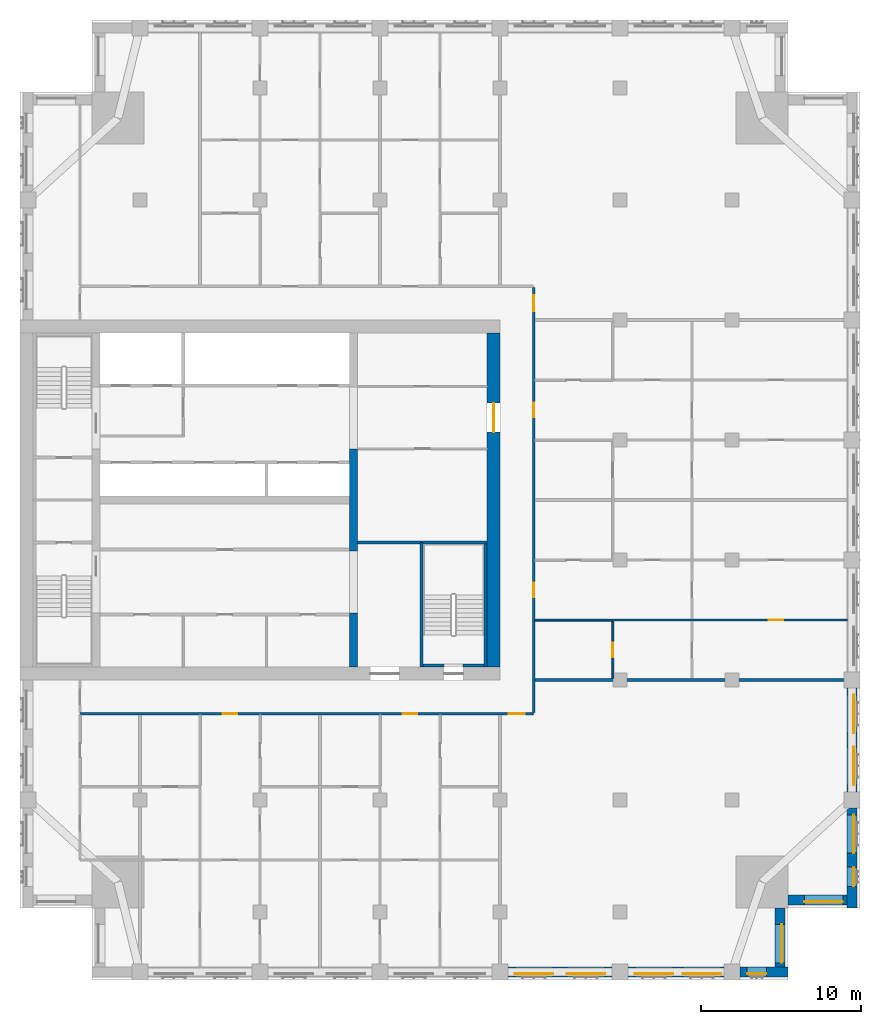
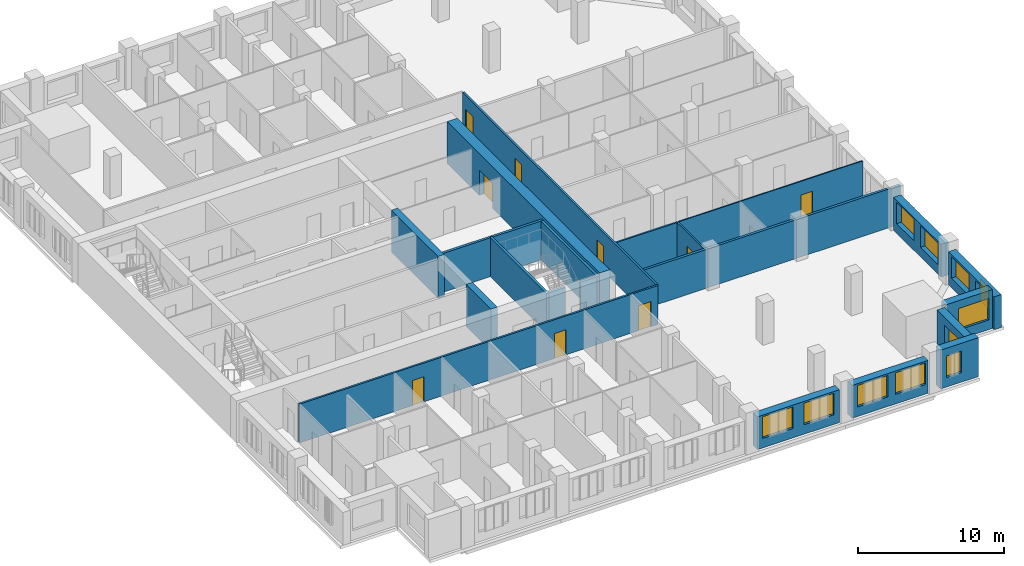
# One storey, part 8 of 14: 21 walls, 11 windows, 9 doors, 20 openings.
"""IFC4 building model written with IfcOpenShell, lengths in metres."""

import ifcopenshell
import ifcopenshell.guid

model = None  # the IFC model being written
_history = None  # IfcOwnerHistory: only IFC2X3 demands one
_inside = {}  # id of a spatial element -> (the spatial element, [elements in it])
_under = {}  # id of a project, library or spatial element -> (it, [spatial elements below it])
_declared = {}  # id of a project -> (the project, [libraries it declares])
_typed = {}  # id of a type object -> (the type object, [elements of that type])
_made_of = {}  # id of a material, layer set ... -> (it, [elements and type objects made of it])


def new_model(schema):
    """Start an empty IFC model of exactly this schema.

    Asked for "IFC4X3", IfcOpenShell would pick the latest addendum, in which some entities
    have other attributes; the version numbers below select the first issue.
    IFC2X3 requires an IfcOwnerHistory on every rooted entity: one is made here for all.
    """
    global model, _history
    if schema == "IFC4X3":
        model = ifcopenshell.file(schema_version=(4, 3, 0, 0))
    else:
        model = ifcopenshell.file(schema=schema)
    _inside.clear()
    _under.clear()
    _declared.clear()
    _typed.clear()
    _made_of.clear()
    _history = None
    if model.schema == "IFC2X3":
        org = make("IfcOrganization", Name="unknown")
        user = make(
            "IfcPersonAndOrganization",
            ThePerson=make("IfcPerson", FamilyName="unknown"),
            TheOrganization=org,
        )
        app = make(
            "IfcApplication",
            ApplicationDeveloper=org,
            Version="unknown",
            ApplicationFullName="unknown",
            ApplicationIdentifier="unknown",
        )
        _history = make(
            "IfcOwnerHistory",
            OwningUser=user,
            OwningApplication=app,
            ChangeAction="ADDED",
            CreationDate=0,
        )
    return model


def make(cls, **values):
    """One entity of the class cls with the attributes given. An attribute that is None is left unset."""
    return model.create_entity(
        cls, **{name: value for name, value in values.items() if value is not None}
    )


def rooted(cls, **values):
    """An entity with a GlobalId (a new one), such as an element, a storey or a relation."""
    return make(cls, GlobalId=ifcopenshell.guid.new(), OwnerHistory=_history, **values)


def si_unit(unit_type, name, prefix=None):
    """IfcSIUnit, for example si_unit("LENGTHUNIT", "METRE", prefix="MILLI")."""
    return make("IfcSIUnit", UnitType=unit_type, Prefix=prefix, Name=name)


def assignment(units):
    """IfcUnitAssignment: the units of a project."""
    return None if units is None else make("IfcUnitAssignment", Units=units)


def point(xyz):
    """IfcCartesianPoint."""
    return None if xyz is None else make("IfcCartesianPoint", Coordinates=xyz)


def direction(xyz):
    """IfcDirection."""
    return None if xyz is None else make("IfcDirection", DirectionRatios=xyz)


def frame(location, z_axis=None, x_axis=None):
    """IfcAxis2Placement3D, a coordinate frame: its origin and axes. An axis left out is left unset."""
    return make(
        "IfcAxis2Placement3D",
        Location=point(location),
        Axis=direction(z_axis),
        RefDirection=direction(x_axis),
    )


def frame_2d(location, x_axis=None):
    """IfcAxis2Placement2D, a coordinate frame in the plane: its origin and x axis."""
    return make(
        "IfcAxis2Placement2D", Location=point(location), RefDirection=direction(x_axis)
    )


def origin():
    """The frame at (0, 0, 0) with its axes left unset."""
    return frame((0.0, 0.0, 0.0))


def place(relative_to, where):
    """IfcLocalPlacement: puts the frame where relative to a parent placement (None: the world)."""
    return make(
        "IfcLocalPlacement", PlacementRelTo=relative_to, RelativePlacement=where
    )


def context(
    kind, dimensions, precision=None, world=None, true_north=None, identifier=None
):
    """IfcGeometricRepresentationContext, for example the 3D "Model" context."""
    return make(
        "IfcGeometricRepresentationContext",
        ContextIdentifier=identifier,
        ContextType=kind,
        CoordinateSpaceDimension=dimensions,
        Precision=precision,
        WorldCoordinateSystem=world,
        TrueNorth=true_north,
    )


def subcontext(parent, identifier, kind, view, scale=None):
    """IfcGeometricRepresentationSubContext, for example "Body" below "Model"."""
    return make(
        "IfcGeometricRepresentationSubContext",
        ContextIdentifier=identifier,
        ContextType=kind,
        ParentContext=parent,
        TargetScale=scale,
        TargetView=view,
    )


def project(units=None, contexts=None):
    """IfcProject with its units and contexts."""
    return rooted(
        "IfcProject",
        Name="project",
        RepresentationContexts=contexts,
        UnitsInContext=assignment(units),
    )


def spatial(cls, under=None, at=None, **own):
    """A site, building, storey or space (cls), placed at a placement, below another one or the project."""
    s = rooted(cls, ObjectPlacement=at, **own)
    if under is not None:
        _under.setdefault(under.id(), (under, []))[1].append(s)
    return s


def profile(cls, at=None, kind="AREA", **sizes):
    """A parametric profile (cls). Its sizes go by their IFC names, for example OverallWidth=200.0."""
    return make(cls, ProfileType=kind, Position=at, **sizes)


def rectangle(**sizes):
    """IfcRectangleProfileDef."""
    return profile("IfcRectangleProfileDef", **sizes)


def extrude(swept, where, along, depth):
    """IfcExtrudedAreaSolid: the profile swept, set in the frame where, extruded along a direction by depth."""
    return make(
        "IfcExtrudedAreaSolid",
        SweptArea=swept,
        Position=where,
        ExtrudedDirection=direction(along),
        Depth=depth,
    )


def shape(context_of_items, identifier, shape_type, items):
    """IfcShapeRepresentation: the items that make up one representation, for example the "Body"."""
    return make(
        "IfcShapeRepresentation",
        ContextOfItems=context_of_items,
        RepresentationIdentifier=identifier,
        RepresentationType=shape_type,
        Items=items,
    )


def material(Name=None, Category=None):
    """IfcMaterial."""
    return make("IfcMaterial", Name=Name, Category=Category)


def layer(
    of_material, thickness, ventilated=None, Name=None, Category=None, Priority=None
):
    """IfcMaterialLayer: one layer of a wall or slab, of a material (None: an air gap)."""
    return make(
        "IfcMaterialLayer",
        Material=of_material,
        LayerThickness=thickness,
        IsVentilated=ventilated,
        Name=Name,
        Category=Category,
        Priority=Priority,
    )


def layer_set(layers, Name=None):
    """IfcMaterialLayerSet."""
    return make("IfcMaterialLayerSet", MaterialLayers=layers, LayerSetName=Name)


def made_of(thing, what):
    """Note that an element or type object is made of a material, layer set ...; save() writes the relation."""
    if what is not None:
        _made_of.setdefault(what.id(), (what, []))[1].append(thing)
    return thing


def type_object(cls, material=None, **own):
    """A type object (cls), such as IfcWallType, which elements share."""
    return made_of(rooted(cls, **own), material)


def element(
    cls,
    number,
    at=None,
    inside=None,
    cuts=None,
    type_object=None,
    material=None,
    context=None,
    identifier="Body",
    shape_type=None,
    held_by="IfcProductDefinitionShape",
    body=None,
    shapes=None,
    **own,
):
    """One element of the class cls, such as IfcWall. Its Tag is "e" and its number.

    at: its placement. inside: the storey or other place that contains it. cuts: it is an
    opening in that element (IfcRelVoidsElement). A single representation is given by context,
    identifier, shape_type and body (its items); several are given by shapes. held_by: the class
    of the entity that holds the representations. save() writes the other relations.
    """
    e = rooted(cls, Tag="e%d" % number, ObjectPlacement=at, **own)
    if body is not None:
        shapes = [shape(context, identifier, shape_type, body)]
    if shapes is not None:
        e.Representation = make(held_by, Representations=shapes)
    if inside is not None:
        _inside.setdefault(inside.id(), (inside, []))[1].append(e)
    if cuts is not None:
        rooted(
            "IfcRelVoidsElement", RelatingBuildingElement=cuts, RelatedOpeningElement=e
        )
    if type_object is not None:
        _typed.setdefault(type_object.id(), (type_object, []))[1].append(e)
    return made_of(e, material)


def fill(opening, filler):
    """IfcRelFillsElement: the door or window that sits in an opening."""
    return rooted(
        "IfcRelFillsElement",
        RelatingOpeningElement=opening,
        RelatedBuildingElement=filler,
    )


def aggregate(whole, parts):
    """IfcRelAggregates: a whole, such as a stair, and the parts it consists of."""
    return rooted("IfcRelAggregates", RelatingObject=whole, RelatedObjects=parts)


def save(model, path):
    """Write the relations noted so far, then the file.

    IfcRelAggregates (storeys below a building ...), IfcRelContainedInSpatialStructure (elements
    in a storey), IfcRelDefinesByType, IfcRelAssociatesMaterial and IfcRelDeclares: one each for
    every whole, place, type object, material and project.
    """
    for whole, parts in _under.values():
        aggregate(whole, parts)
    for where, things in _inside.values():
        rooted(
            "IfcRelContainedInSpatialStructure",
            RelatedElements=things,
            RelatingStructure=where,
        )
    for kind, things in _typed.values():
        rooted("IfcRelDefinesByType", RelatedObjects=things, RelatingType=kind)
    for what, things in _made_of.values():
        rooted("IfcRelAssociatesMaterial", RelatedObjects=things, RelatingMaterial=what)
    for by, libraries in _declared.values():
        rooted("IfcRelDeclares", RelatingContext=by, RelatedDefinitions=libraries)
    model.write(path)


model = new_model("IFC4")

# Units and contexts
model_context = context("Model", 3, precision=1e-05, world=origin(), true_north=direction((0.0, 1.0)))
body_context = subcontext(model_context, "Body", "Model", "MODEL_VIEW")
ifc_project = project(units=[si_unit("LENGTHUNIT", "METRE"), si_unit("AREAUNIT", "SQUARE_METRE"), si_unit("VOLUMEUNIT", "CUBIC_METRE"), si_unit("PLANEANGLEUNIT", "RADIAN"), si_unit("MASSUNIT", "GRAM", prefix="KILO")], contexts=[model_context])

# Site, building, storey
site_placement = place(None, origin())
site = spatial("IfcSite", under=ifc_project, at=site_placement, CompositionType="ELEMENT")
building_placement = place(site_placement, origin())
building = spatial("IfcBuilding", under=site, at=building_placement, Name="Tamorin Gate", CompositionType="ELEMENT")
storey_placement = place(building_placement, frame((0.0, 0.0, 207.199951171875)))
storey = spatial("IfcBuildingStorey", under=building, at=storey_placement, Name="L51", CompositionType="ELEMENT", Elevation=207.199951171875)

# Wall, openings, windows
ifc_material_1 = material(Name="Precast concrete C40/50", Category="concrete")
ifc_layer_1 = layer(ifc_material_1, 0.60009765625)
ifc_layer_set_1 = layer_set([ifc_layer_1], Name="Precast concrete C40/50")
wall_type_1 = type_object("IfcWallType", Name="Board-marked concrete facade panel 600", PredefinedType="SOLIDWALL", material=ifc_layer_set_1)
wall_1_placement = place(storey_placement, frame((60.5, 41.75, 0.0), z_axis=(0.0, 0.0, 1.0), x_axis=(1.0, 0.0, 0.0)))
wall_1 = element("IfcWall", 1, at=wall_1_placement, inside=storey, type_object=wall_type_1, Name="Facade panel", PredefinedType="SOLIDWALL", context=body_context, shape_type="SweptSolid", body=[
    extrude(rectangle(XDim=6.5, YDim=0.60009765625, at=frame_2d((3.25, 0.0))), origin(), (0.0, 0.0, 1.0), 2.75),
])
opening_1_placement = place(wall_1_placement, frame((0.425048828125, 0.0, 0.800048828125)))
opening_1 = element("IfcOpeningElement", 2, at=opening_1_placement, cuts=wall_1, Name="Opening WN1", PredefinedType="OPENING", context=body_context, shape_type="SweptSolid", body=[
    extrude(rectangle(XDim=2.39990234375, YDim=1.800048828125, at=frame_2d((1.199951171875, 0.89990234375))), frame((0.0, 0.31005859375, 0.0), z_axis=(0.0, -1.0, 0.0), x_axis=(1.0, 0.0, 0.0)), (0.0, 0.0, 1.0), 0.6201171875),
])
opening_2_placement = place(wall_1_placement, frame((3.675048828125, 0.0, 0.800048828125)))
opening_2 = element("IfcOpeningElement", 3, at=opening_2_placement, cuts=wall_1, Name="Opening WN1", PredefinedType="OPENING", context=body_context, shape_type="SweptSolid", body=[
    extrude(rectangle(XDim=2.39990234375, YDim=1.800048828125, at=frame_2d((1.199951171875, 0.89990234375))), frame((0.0, 0.31005859375, 0.0), z_axis=(0.0, -1.0, 0.0), x_axis=(1.0, 0.0, 0.0)), (0.0, 0.0, 1.0), 0.6201171875),
])
ifc_material_2 = material(Name="Clear glass in aluminium frame", Category="aluminium")
window_type_1 = type_object("IfcWindowType", Name="Deep-set window 2400x1800", PartitioningType="SINGLE_PANEL", PredefinedType="WINDOW", material=ifc_material_2)
window_1_placement = place(opening_1_placement, origin())
window_1 = element("IfcWindow", 4, at=window_1_placement, inside=storey, type_object=window_type_1, Name="Deep-set window", OverallHeight=1.800048828125, OverallWidth=2.39990234375, PartitioningType="SINGLE_PANEL", PredefinedType="WINDOW", context=body_context, shape_type="SweptSolid", body=[
    extrude(rectangle(XDim=2.39990234375, YDim=1.800048828125, at=frame_2d((1.199951171875, 0.89990234375))), frame((0.0, -0.070068359375, 0.0), z_axis=(0.0, -1.0, 0.0), x_axis=(1.0, 0.0, 0.0)), (0.0, 0.0, 1.0), 0.06005859375),
])
fill(opening_1, window_1)
window_2_placement = place(opening_2_placement, origin())
window_2 = element("IfcWindow", 5, at=window_2_placement, inside=storey, type_object=window_type_1, Name="Deep-set window", OverallHeight=1.800048828125, OverallWidth=2.39990234375, PartitioningType="SINGLE_PANEL", PredefinedType="WINDOW", context=body_context, shape_type="SweptSolid", body=[
    extrude(rectangle(XDim=2.39990234375, YDim=1.800048828125, at=frame_2d((1.199951171875, 0.89990234375))), frame((0.0, -0.070068359375, 0.0), z_axis=(0.0, -1.0, 0.0), x_axis=(1.0, 0.0, 0.0)), (0.0, 0.0, 1.0), 0.06005859375),
])
fill(opening_2, window_2)

wall_2_placement = place(storey_placement, frame((68.0, 41.75, 0.0), z_axis=(0.0, 0.0, 1.0), x_axis=(1.0, 0.0, 0.0)))
wall_2 = element("IfcWall", 6, at=wall_2_placement, inside=storey, type_object=wall_type_1, Name="Facade panel", PredefinedType="SOLIDWALL", context=body_context, shape_type="SweptSolid", body=[
    extrude(rectangle(XDim=6.0, YDim=0.60009765625, at=frame_2d((3.0, 0.0))), origin(), (0.0, 0.0, 1.0), 2.75),
])
opening_3_placement = place(wall_2_placement, frame((0.425048828125, 0.0, 0.800048828125)))
opening_3 = element("IfcOpeningElement", 7, at=opening_3_placement, cuts=wall_2, Name="Opening WN1", PredefinedType="OPENING", context=body_context, shape_type="SweptSolid", body=[
    extrude(rectangle(XDim=2.39990234375, YDim=1.800048828125, at=frame_2d((1.199951171875, 0.89990234375))), frame((0.0, 0.31005859375, 0.0), z_axis=(0.0, -1.0, 0.0), x_axis=(1.0, 0.0, 0.0)), (0.0, 0.0, 1.0), 0.6201171875),
])
opening_4_placement = place(wall_2_placement, frame((3.425048828125, 0.0, 0.800048828125)))
opening_4 = element("IfcOpeningElement", 8, at=opening_4_placement, cuts=wall_2, Name="Opening WN1", PredefinedType="OPENING", context=body_context, shape_type="SweptSolid", body=[
    extrude(rectangle(XDim=2.39990234375, YDim=1.800048828125, at=frame_2d((1.199951171875, 0.89990234375))), frame((0.0, 0.31005859375, 0.0), z_axis=(0.0, -1.0, 0.0), x_axis=(1.0, 0.0, 0.0)), (0.0, 0.0, 1.0), 0.6201171875),
])
window_3_placement = place(opening_3_placement, origin())
window_3 = element("IfcWindow", 9, at=window_3_placement, inside=storey, type_object=window_type_1, Name="Deep-set window", OverallHeight=1.800048828125, OverallWidth=2.39990234375, PartitioningType="SINGLE_PANEL", PredefinedType="WINDOW", context=body_context, shape_type="SweptSolid", body=[
    extrude(rectangle(XDim=2.39990234375, YDim=1.800048828125, at=frame_2d((1.199951171875, 0.89990234375))), frame((0.0, -0.070068359375, 0.0), z_axis=(0.0, -1.0, 0.0), x_axis=(1.0, 0.0, 0.0)), (0.0, 0.0, 1.0), 0.06005859375),
])
fill(opening_3, window_3)
window_4_placement = place(opening_4_placement, origin())
window_4 = element("IfcWindow", 10, at=window_4_placement, inside=storey, type_object=window_type_1, Name="Deep-set window", OverallHeight=1.800048828125, OverallWidth=2.39990234375, PartitioningType="SINGLE_PANEL", PredefinedType="WINDOW", context=body_context, shape_type="SweptSolid", body=[
    extrude(rectangle(XDim=2.39990234375, YDim=1.800048828125, at=frame_2d((1.199951171875, 0.89990234375))), frame((0.0, -0.070068359375, 0.0), z_axis=(0.0, -1.0, 0.0), x_axis=(1.0, 0.0, 0.0)), (0.0, 0.0, 1.0), 0.06005859375),
])
fill(opening_4, window_4)

# Wall, opening, window
wall_3_placement = place(storey_placement, frame((75.0, 41.75, 0.0), z_axis=(0.0, 0.0, 1.0), x_axis=(1.0, 0.0, 0.0)))
wall_3 = element("IfcWall", 11, at=wall_3_placement, inside=storey, type_object=wall_type_1, Name="Facade panel", PredefinedType="SOLIDWALL", context=body_context, shape_type="SweptSolid", body=[
    extrude(rectangle(XDim=3.0, YDim=0.60009765625, at=frame_2d((1.5, 0.0))), origin(), (0.0, 0.0, 1.0), 3.25),
])
opening_5_placement = place(wall_3_placement, frame((0.449951171875, 0.0, 0.800048828125)))
opening_5 = element("IfcOpeningElement", 12, at=opening_5_placement, cuts=wall_3, Name="Opening WN3", PredefinedType="OPENING", context=body_context, shape_type="SweptSolid", body=[
    extrude(rectangle(XDim=1.199951171875, YDim=1.800048828125, at=frame_2d((0.60009765625, 0.89990234375))), frame((0.0, 0.31005859375, 0.0), z_axis=(0.0, -1.0, 0.0), x_axis=(1.0, 0.0, 0.0)), (0.0, 0.0, 1.0), 0.6201171875),
])
window_type_2 = type_object("IfcWindowType", Name="Deep-set window 1200x1800", PartitioningType="SINGLE_PANEL", PredefinedType="WINDOW", material=ifc_material_2)
window_5_placement = place(opening_5_placement, origin())
window_5 = element("IfcWindow", 13, at=window_5_placement, inside=storey, type_object=window_type_2, Name="Deep-set window", OverallHeight=1.800048828125, OverallWidth=1.199951171875, PartitioningType="SINGLE_PANEL", PredefinedType="WINDOW", context=body_context, shape_type="SweptSolid", body=[
    extrude(rectangle(XDim=1.199951171875, YDim=1.800048828125, at=frame_2d((0.60009765625, 0.89990234375))), frame((0.0, -0.070068359375, 0.0), z_axis=(0.0, -1.0, 0.0), x_axis=(1.0, 0.0, 0.0)), (0.0, 0.0, 1.0), 0.06005859375),
])
fill(opening_5, window_5)

wall_4_placement = place(storey_placement, frame((77.5, 42.050048828125, 0.0), z_axis=(0.0, 0.0, 1.0), x_axis=(0.0, 1.0, 0.0)))
wall_4 = element("IfcWall", 14, at=wall_4_placement, inside=storey, type_object=wall_type_1, Name="Facade panel", PredefinedType="SOLIDWALL", context=body_context, shape_type="SweptSolid", body=[
    extrude(rectangle(XDim=3.699951171875, YDim=0.60009765625, at=frame_2d((1.85009765625, 0.0))), origin(), (0.0, 0.0, 1.0), 3.25),
])
opening_6_placement = place(wall_4_placement, frame((0.27490234375, 0.0, 0.800048828125)))
opening_6 = element("IfcOpeningElement", 15, at=opening_6_placement, cuts=wall_4, Name="Opening WN1", PredefinedType="OPENING", context=body_context, shape_type="SweptSolid", body=[
    extrude(rectangle(XDim=2.39990234375, YDim=1.800048828125, at=frame_2d((1.199951171875, 0.89990234375))), frame((0.0, 0.31005859375, 0.0), z_axis=(0.0, -1.0, 0.0), x_axis=(1.0, 0.0, 0.0)), (0.0, 0.0, 1.0), 0.6201171875),
])
window_6_placement = place(opening_6_placement, origin())
window_6 = element("IfcWindow", 16, at=window_6_placement, inside=storey, type_object=window_type_1, Name="Deep-set window", OverallHeight=1.800048828125, OverallWidth=2.39990234375, PartitioningType="SINGLE_PANEL", PredefinedType="WINDOW", context=body_context, shape_type="SweptSolid", body=[
    extrude(rectangle(XDim=2.39990234375, YDim=1.800048828125, at=frame_2d((1.199951171875, 0.89990234375))), frame((0.0, -0.070068359375, 0.0), z_axis=(0.0, -1.0, 0.0), x_axis=(1.0, 0.0, 0.0)), (0.0, 0.0, 1.0), 0.06005859375),
])
fill(opening_6, window_6)

wall_5_placement = place(storey_placement, frame((78.0, 46.25, 0.0), z_axis=(0.0, 0.0, 1.0), x_axis=(1.0, 0.0, 0.0)))
wall_5 = element("IfcWall", 17, at=wall_5_placement, inside=storey, type_object=wall_type_1, Name="Facade panel", PredefinedType="SOLIDWALL", context=body_context, shape_type="SweptSolid", body=[
    extrude(rectangle(XDim=3.699951171875, YDim=0.60009765625, at=frame_2d((1.85009765625, 0.0))), origin(), (0.0, 0.0, 1.0), 3.25),
])
opening_7_placement = place(wall_5_placement, frame((1.02490234375, 0.0, 0.800048828125)))
opening_7 = element("IfcOpeningElement", 18, at=opening_7_placement, cuts=wall_5, Name="Opening WN1", PredefinedType="OPENING", context=body_context, shape_type="SweptSolid", body=[
    extrude(rectangle(XDim=2.39990234375, YDim=1.800048828125, at=frame_2d((1.199951171875, 0.89990234375))), frame((0.0, 0.31005859375, 0.0), z_axis=(0.0, -1.0, 0.0), x_axis=(1.0, 0.0, 0.0)), (0.0, 0.0, 1.0), 0.6201171875),
])
window_7_placement = place(opening_7_placement, origin())
window_7 = element("IfcWindow", 19, at=window_7_placement, inside=storey, type_object=window_type_1, Name="Deep-set window", OverallHeight=1.800048828125, OverallWidth=2.39990234375, PartitioningType="SINGLE_PANEL", PredefinedType="WINDOW", context=body_context, shape_type="SweptSolid", body=[
    extrude(rectangle(XDim=2.39990234375, YDim=1.800048828125, at=frame_2d((1.199951171875, 0.89990234375))), frame((0.0, -0.070068359375, 0.0), z_axis=(0.0, -1.0, 0.0), x_axis=(1.0, 0.0, 0.0)), (0.0, 0.0, 1.0), 0.06005859375),
])
fill(opening_7, window_7)

# Wall, openings, windows
wall_6_placement = place(storey_placement, frame((82.0, 45.75, 0.0), z_axis=(0.0, 0.0, 1.0), x_axis=(0.0, 1.0, 0.0)))
wall_6 = element("IfcWall", 20, at=wall_6_placement, inside=storey, type_object=wall_type_1, Name="Facade panel", PredefinedType="SOLIDWALL", context=body_context, shape_type="SweptSolid", body=[
    extrude(rectangle(XDim=6.25, YDim=0.60009765625, at=frame_2d((3.125, 0.0))), origin(), (0.0, 0.0, 1.0), 2.75),
])
opening_8_placement = place(wall_6_placement, frame((1.35009765625, 0.0, 0.800048828125)))
opening_8 = element("IfcOpeningElement", 21, at=opening_8_placement, cuts=wall_6, Name="Opening WN3", PredefinedType="OPENING", context=body_context, shape_type="SweptSolid", body=[
    extrude(rectangle(XDim=1.199951171875, YDim=1.800048828125, at=frame_2d((0.60009765625, 0.89990234375))), frame((0.0, 0.31005859375, 0.0), z_axis=(0.0, -1.0, 0.0), x_axis=(1.0, 0.0, 0.0)), (0.0, 0.0, 1.0), 0.6201171875),
])
opening_9_placement = place(wall_6_placement, frame((3.425048828125, 0.0, 0.800048828125)))
opening_9 = element("IfcOpeningElement", 22, at=opening_9_placement, cuts=wall_6, Name="Opening WN1", PredefinedType="OPENING", context=body_context, shape_type="SweptSolid", body=[
    extrude(rectangle(XDim=2.39990234375, YDim=1.800048828125, at=frame_2d((1.199951171875, 0.89990234375))), frame((0.0, 0.31005859375, 0.0), z_axis=(0.0, -1.0, 0.0), x_axis=(1.0, 0.0, 0.0)), (0.0, 0.0, 1.0), 0.6201171875),
])
window_8_placement = place(opening_8_placement, origin())
window_8 = element("IfcWindow", 23, at=window_8_placement, inside=storey, type_object=window_type_2, Name="Deep-set window", OverallHeight=1.800048828125, OverallWidth=1.199951171875, PartitioningType="SINGLE_PANEL", PredefinedType="WINDOW", context=body_context, shape_type="SweptSolid", body=[
    extrude(rectangle(XDim=1.199951171875, YDim=1.800048828125, at=frame_2d((0.60009765625, 0.89990234375))), frame((0.0, -0.070068359375, 0.0), z_axis=(0.0, -1.0, 0.0), x_axis=(1.0, 0.0, 0.0)), (0.0, 0.0, 1.0), 0.06005859375),
])
fill(opening_8, window_8)
window_9_placement = place(opening_9_placement, origin())
window_9 = element("IfcWindow", 24, at=window_9_placement, inside=storey, type_object=window_type_1, Name="Deep-set window", OverallHeight=1.800048828125, OverallWidth=2.39990234375, PartitioningType="SINGLE_PANEL", PredefinedType="WINDOW", context=body_context, shape_type="SweptSolid", body=[
    extrude(rectangle(XDim=2.39990234375, YDim=1.800048828125, at=frame_2d((1.199951171875, 0.89990234375))), frame((0.0, -0.070068359375, 0.0), z_axis=(0.0, -1.0, 0.0), x_axis=(1.0, 0.0, 0.0)), (0.0, 0.0, 1.0), 0.06005859375),
])
fill(opening_9, window_9)

wall_7_placement = place(storey_placement, frame((82.0, 53.0, 0.0), z_axis=(0.0, 0.0, 1.0), x_axis=(0.0, 1.0, 0.0)))
wall_7 = element("IfcWall", 25, at=wall_7_placement, inside=storey, type_object=wall_type_1, Name="Facade panel", PredefinedType="SOLIDWALL", context=body_context, shape_type="SweptSolid", body=[
    extrude(rectangle(XDim=6.5, YDim=0.60009765625, at=frame_2d((3.25, 0.0))), origin(), (0.0, 0.0, 1.0), 2.75),
])
opening_10_placement = place(wall_7_placement, frame((0.425048828125, 0.0, 0.800048828125)))
opening_10 = element("IfcOpeningElement", 26, at=opening_10_placement, cuts=wall_7, Name="Opening WN1", PredefinedType="OPENING", context=body_context, shape_type="SweptSolid", body=[
    extrude(rectangle(XDim=2.39990234375, YDim=1.800048828125, at=frame_2d((1.199951171875, 0.89990234375))), frame((0.0, 0.31005859375, 0.0), z_axis=(0.0, -1.0, 0.0), x_axis=(1.0, 0.0, 0.0)), (0.0, 0.0, 1.0), 0.6201171875),
])
opening_11_placement = place(wall_7_placement, frame((3.675048828125, 0.0, 0.800048828125)))
opening_11 = element("IfcOpeningElement", 27, at=opening_11_placement, cuts=wall_7, Name="Opening WN1", PredefinedType="OPENING", context=body_context, shape_type="SweptSolid", body=[
    extrude(rectangle(XDim=2.39990234375, YDim=1.800048828125, at=frame_2d((1.199951171875, 0.89990234375))), frame((0.0, 0.31005859375, 0.0), z_axis=(0.0, -1.0, 0.0), x_axis=(1.0, 0.0, 0.0)), (0.0, 0.0, 1.0), 0.6201171875),
])
window_10_placement = place(opening_10_placement, origin())
window_10 = element("IfcWindow", 28, at=window_10_placement, inside=storey, type_object=window_type_1, Name="Deep-set window", OverallHeight=1.800048828125, OverallWidth=2.39990234375, PartitioningType="SINGLE_PANEL", PredefinedType="WINDOW", context=body_context, shape_type="SweptSolid", body=[
    extrude(rectangle(XDim=2.39990234375, YDim=1.800048828125, at=frame_2d((1.199951171875, 0.89990234375))), frame((0.0, -0.070068359375, 0.0), z_axis=(0.0, -1.0, 0.0), x_axis=(1.0, 0.0, 0.0)), (0.0, 0.0, 1.0), 0.06005859375),
])
fill(opening_10, window_10)
window_11_placement = place(opening_11_placement, origin())
window_11 = element("IfcWindow", 29, at=window_11_placement, inside=storey, type_object=window_type_1, Name="Deep-set window", OverallHeight=1.800048828125, OverallWidth=2.39990234375, PartitioningType="SINGLE_PANEL", PredefinedType="WINDOW", context=body_context, shape_type="SweptSolid", body=[
    extrude(rectangle(XDim=2.39990234375, YDim=1.800048828125, at=frame_2d((1.199951171875, 0.89990234375))), frame((0.0, -0.070068359375, 0.0), z_axis=(0.0, -1.0, 0.0), x_axis=(1.0, 0.0, 0.0)), (0.0, 0.0, 1.0), 0.06005859375),
])
fill(opening_11, window_11)

# Wall, openings, doors
ifc_material_3 = material(Name="Gypsum board partition")
ifc_layer_2 = layer(ifc_material_3, 0.14990234375)
ifc_layer_set_2 = layer_set([ifc_layer_2], Name="Corridor wall 150")
wall_type_2 = type_object("IfcWallType", Name="Corridor wall 150", PredefinedType="PARTITIONING", material=ifc_layer_set_2)
wall_8_placement = place(storey_placement, frame((33.75, 57.89990234375, 0.0), z_axis=(0.0, 0.0, 1.0), x_axis=(1.0, 0.0, 0.0)))
wall_8 = element("IfcWall", 30, at=wall_8_placement, inside=storey, type_object=wall_type_2, Name="Corridor wall 150", PredefinedType="PARTITIONING", context=body_context, shape_type="SweptSolid", body=[
    extrude(rectangle(XDim=28.35009765625, YDim=0.14990234375, at=frame_2d((14.175048828125, 0.0))), origin(), (0.0, 0.0, 1.0), 3.25),
])
opening_12_placement = place(wall_8_placement, frame((8.925048828125, 0.0, 0.0)))
opening_12 = element("IfcOpeningElement", 31, at=opening_12_placement, cuts=wall_8, Name="Opening DR1006", PredefinedType="OPENING", context=body_context, shape_type="SweptSolid", body=[
    extrude(rectangle(XDim=0.89990234375, YDim=2.10009765625, at=frame_2d((0.449951171875, 1.050048828125))), frame((0.0, 0.0849609375, 0.0), z_axis=(0.0, -1.0, 0.0), x_axis=(1.0, 0.0, 0.0)), (0.0, 0.0, 1.0), 0.169921875),
])
opening_13_placement = place(wall_8_placement, frame((20.175048828125, 0.0, 0.0)))
opening_13 = element("IfcOpeningElement", 32, at=opening_13_placement, cuts=wall_8, Name="Opening DR1014", PredefinedType="OPENING", context=body_context, shape_type="SweptSolid", body=[
    extrude(rectangle(XDim=0.89990234375, YDim=2.10009765625, at=frame_2d((0.449951171875, 1.050048828125))), frame((0.0, 0.0849609375, 0.0), z_axis=(0.0, -1.0, 0.0), x_axis=(1.0, 0.0, 0.0)), (0.0, 0.0, 1.0), 0.169921875),
])
opening_14_placement = place(wall_8_placement, frame((26.800048828125, 0.0, 0.0)))
opening_14 = element("IfcOpeningElement", 33, at=opening_14_placement, cuts=wall_8, Name="Opening DR1020", PredefinedType="OPENING", context=body_context, shape_type="SweptSolid", body=[
    extrude(rectangle(XDim=1.0, YDim=2.10009765625, at=frame_2d((0.5, 1.050048828125))), frame((0.0, 0.0849609375, 0.0), z_axis=(0.0, -1.0, 0.0), x_axis=(1.0, 0.0, 0.0)), (0.0, 0.0, 1.0), 0.169921875),
])
ifc_material_4 = material(Name="Timber door leaf", Category="wood")
door_type_1 = type_object("IfcDoorType", Name="Door 1000 x 2100 FD30S", OperationType="NOTDEFINED", PredefinedType="DOOR", material=ifc_material_4)
door_1_placement = place(opening_14_placement, origin())
door_1 = element("IfcDoor", 34, at=door_1_placement, inside=storey, type_object=door_type_1, Name="Door DR1020", OperationType="SINGLE_SWING_RIGHT", OverallHeight=2.10009765625, OverallWidth=1.0, PredefinedType="DOOR", context=body_context, shape_type="SweptSolid", body=[
    extrude(rectangle(XDim=1.0, YDim=2.10009765625, at=frame_2d((0.5, 1.050048828125))), frame((0.0, 0.02490234375, 0.0), z_axis=(0.0, -1.0, 0.0), x_axis=(1.0, 0.0, 0.0)), (0.0, 0.0, 1.0), 0.050048828125),
])
fill(opening_14, door_1)
door_type_2 = type_object("IfcDoorType", Name="Door 900 x 2100 FD30S", OperationType="NOTDEFINED", PredefinedType="DOOR", material=ifc_material_4)
door_2_placement = place(opening_12_placement, origin())
door_2 = element("IfcDoor", 35, at=door_2_placement, inside=storey, type_object=door_type_2, Name="Door DR1006", OperationType="SINGLE_SWING_RIGHT", OverallHeight=2.10009765625, OverallWidth=0.89990234375, PredefinedType="DOOR", context=body_context, shape_type="SweptSolid", body=[
    extrude(rectangle(XDim=0.89990234375, YDim=2.10009765625, at=frame_2d((0.449951171875, 1.050048828125))), frame((0.0, 0.02490234375, 0.0), z_axis=(0.0, -1.0, 0.0), x_axis=(1.0, 0.0, 0.0)), (0.0, 0.0, 1.0), 0.050048828125),
])
fill(opening_12, door_2)
door_3_placement = place(opening_13_placement, origin())
door_3 = element("IfcDoor", 36, at=door_3_placement, inside=storey, type_object=door_type_2, Name="Door DR1014", OperationType="SINGLE_SWING_RIGHT", OverallHeight=2.10009765625, OverallWidth=0.89990234375, PredefinedType="DOOR", context=body_context, shape_type="SweptSolid", body=[
    extrude(rectangle(XDim=0.89990234375, YDim=2.10009765625, at=frame_2d((0.449951171875, 1.050048828125))), frame((0.0, 0.02490234375, 0.0), z_axis=(0.0, -1.0, 0.0), x_axis=(1.0, 0.0, 0.0)), (0.0, 0.0, 1.0), 0.050048828125),
])
fill(opening_13, door_3)

wall_9_placement = place(storey_placement, frame((62.10009765625, 57.97509765625, 0.0), z_axis=(0.0, 0.0, 1.0), x_axis=(0.0, 1.0, 0.0)))
wall_9 = element("IfcWall", 37, at=wall_9_placement, inside=storey, type_object=wall_type_2, Name="Corridor wall 150", PredefinedType="PARTITIONING", context=body_context, shape_type="SweptSolid", body=[
    extrude(rectangle(XDim=26.5498046875, YDim=0.14990234375, at=frame_2d((13.27490234375, 0.0))), origin(), (0.0, 0.0, 1.0), 3.25),
])
opening_15_placement = place(wall_9_placement, frame((25.074951171875, 0.0, 0.0)))
opening_15 = element("IfcOpeningElement", 38, at=opening_15_placement, cuts=wall_9, Name="Opening DR1036", PredefinedType="OPENING", context=body_context, shape_type="SweptSolid", body=[
    extrude(rectangle(XDim=1.0, YDim=2.10009765625, at=frame_2d((0.5, 1.050048828125))), frame((0.0, 0.0849609375, 0.0), z_axis=(0.0, -1.0, 0.0), x_axis=(1.0, 0.0, 0.0)), (0.0, 0.0, 1.0), 0.169921875),
])
opening_16_placement = place(wall_9_placement, frame((7.199951171875, 0.0, 0.0)))
opening_16 = element("IfcOpeningElement", 39, at=opening_16_placement, cuts=wall_9, Name="Opening DR1039", PredefinedType="OPENING", context=body_context, shape_type="SweptSolid", body=[
    extrude(rectangle(XDim=0.89990234375, YDim=2.10009765625, at=frame_2d((0.449951171875, 1.050048828125))), frame((0.0, 0.0849609375, 0.0), z_axis=(0.0, -1.0, 0.0), x_axis=(1.0, 0.0, 0.0)), (0.0, 0.0, 1.0), 0.169921875),
])
opening_17_placement = place(wall_9_placement, frame((18.449951171875, 0.0, 0.0)))
opening_17 = element("IfcOpeningElement", 40, at=opening_17_placement, cuts=wall_9, Name="Opening DR1047", PredefinedType="OPENING", context=body_context, shape_type="SweptSolid", body=[
    extrude(rectangle(XDim=0.89990234375, YDim=2.10009765625, at=frame_2d((0.449951171875, 1.050048828125))), frame((0.0, 0.0849609375, 0.0), z_axis=(0.0, -1.0, 0.0), x_axis=(1.0, 0.0, 0.0)), (0.0, 0.0, 1.0), 0.169921875),
])
door_4_placement = place(opening_15_placement, origin())
door_4 = element("IfcDoor", 41, at=door_4_placement, inside=storey, type_object=door_type_1, Name="Door DR1036", OperationType="SINGLE_SWING_RIGHT", OverallHeight=2.10009765625, OverallWidth=1.0, PredefinedType="DOOR", context=body_context, shape_type="SweptSolid", body=[
    extrude(rectangle(XDim=1.0, YDim=2.10009765625, at=frame_2d((0.5, 1.050048828125))), frame((0.0, 0.02490234375, 0.0), z_axis=(0.0, -1.0, 0.0), x_axis=(1.0, 0.0, 0.0)), (0.0, 0.0, 1.0), 0.050048828125),
])
fill(opening_15, door_4)
door_5_placement = place(opening_16_placement, origin())
door_5 = element("IfcDoor", 42, at=door_5_placement, inside=storey, type_object=door_type_2, Name="Door DR1039", OperationType="SINGLE_SWING_RIGHT", OverallHeight=2.10009765625, OverallWidth=0.89990234375, PredefinedType="DOOR", context=body_context, shape_type="SweptSolid", body=[
    extrude(rectangle(XDim=0.89990234375, YDim=2.10009765625, at=frame_2d((0.449951171875, 1.050048828125))), frame((0.0, 0.02490234375, 0.0), z_axis=(0.0, -1.0, 0.0), x_axis=(1.0, 0.0, 0.0)), (0.0, 0.0, 1.0), 0.050048828125),
])
fill(opening_16, door_5)
door_6_placement = place(opening_17_placement, origin())
door_6 = element("IfcDoor", 43, at=door_6_placement, inside=storey, type_object=door_type_2, Name="Door DR1047", OperationType="SINGLE_SWING_RIGHT", OverallHeight=2.10009765625, OverallWidth=0.89990234375, PredefinedType="DOOR", context=body_context, shape_type="SweptSolid", body=[
    extrude(rectangle(XDim=0.89990234375, YDim=2.10009765625, at=frame_2d((0.449951171875, 1.050048828125))), frame((0.0, 0.02490234375, 0.0), z_axis=(0.0, -1.0, 0.0), x_axis=(1.0, 0.0, 0.0)), (0.0, 0.0, 1.0), 0.050048828125),
])
fill(opening_17, door_6)

# Walls
ifc_layer_3 = layer(ifc_material_3, 0.199951171875)
ifc_layer_set_3 = layer_set([ifc_layer_3], Name="Demising wall 200")
wall_type_3 = type_object("IfcWallType", Name="Demising wall 200", PredefinedType="PARTITIONING", material=ifc_layer_set_3)
wall_10_placement = place(storey_placement, frame((62.175048828125, 60.0, 0.0), z_axis=(0.0, 0.0, 1.0), x_axis=(1.0, 0.0, 0.0)))
element("IfcWall", 44, at=wall_10_placement, inside=storey, type_object=wall_type_3, Name="Demising wall 200", PredefinedType="PARTITIONING", context=body_context, shape_type="SweptSolid", body=[
    extrude(rectangle(XDim=20.324951171875, YDim=0.199951171875, at=frame_2d((10.16259765625, 0.0))), origin(), (0.0, 0.0, 1.0), 3.25),
])
ifc_material_5 = material(Name="Concrete C60/75", Category="concrete")
ifc_layer_4 = layer(ifc_material_5, 0.5)
ifc_layer_set_4 = layer_set([ifc_layer_4], Name="RC core internal wall 500 C60/75")
wall_type_4 = type_object("IfcWallType", Name="RC core internal wall 500 C60/75", PredefinedType="SHEAR", material=ifc_layer_set_4)
wall_11_placement = place(storey_placement, frame((50.85009765625, 60.800048828125, 0.0), z_axis=(0.0, 0.0, 1.0), x_axis=(0.0, 1.0, 0.0)))
element("IfcWall", 45, at=wall_11_placement, inside=storey, type_object=wall_type_4, Name="Core cross wall L51", PredefinedType="SHEAR", context=body_context, shape_type="SweptSolid", body=[
    extrude(rectangle(XDim=3.39990234375, YDim=0.5, at=frame_2d((1.699951171875, 0.0))), origin(), (0.0, 0.0, 1.0), 3.5),
])
wall_12_placement = place(storey_placement, frame((50.85009765625, 68.050048828125, 0.0), z_axis=(0.0, 0.0, 1.0), x_axis=(0.0, 1.0, 0.0)))
element("IfcWall", 46, at=wall_12_placement, inside=storey, type_object=wall_type_4, Name="Core cross wall L51", PredefinedType="SHEAR", context=body_context, shape_type="SweptSolid", body=[
    extrude(rectangle(XDim=6.39990234375, YDim=0.5, at=frame_2d((3.199951171875, 0.0))), origin(), (0.0, 0.0, 1.0), 3.5),
])

# Wall, opening, door
ifc_layer_5 = layer(ifc_material_5, 0.800048828125)
ifc_layer_set_5 = layer_set([ifc_layer_5], Name="RC core wall 800 C60/75")
wall_type_5 = type_object("IfcWallType", Name="RC core wall 800 C60/75", PredefinedType="SHEAR", material=ifc_layer_set_5)
wall_13_placement = place(storey_placement, frame((59.60009765625, 60.800048828125, 0.0), z_axis=(0.0, 0.0, 1.0), x_axis=(0.0, 1.0, 0.0)))
wall_13 = element("IfcWall", 47, at=wall_13_placement, inside=storey, type_object=wall_type_5, Name="Core wall L51", PredefinedType="SHEAR", context=body_context, shape_type="SweptSolid", body=[
    extrude(rectangle(XDim=20.89990234375, YDim=0.800048828125, at=frame_2d((10.449951171875, 0.0))), origin(), (0.0, 0.0, 1.0), 3.5),
])
opening_18_placement = place(wall_13_placement, frame((14.699951171875, 0.0, 0.0)))
opening_18 = element("IfcOpeningElement", 48, at=opening_18_placement, cuts=wall_13, Name="Opening DE1", PredefinedType="OPENING", context=body_context, shape_type="SweptSolid", body=[
    extrude(rectangle(XDim=1.800048828125, YDim=2.10009765625, at=frame_2d((0.89990234375, 1.050048828125))), frame((0.0, 0.409912109375, 0.0), z_axis=(0.0, -1.0, 0.0), x_axis=(1.0, 0.0, 0.0)), (0.0, 0.0, 1.0), 0.820068359375),
])
ifc_material_6 = material(Name="Steel fire door", Category="steel")
door_type_3 = type_object("IfcDoorType", Name="Lobby exit double door 1800 x 2100 EI 60", OperationType="DOUBLE_DOOR_SINGLE_SWING", PredefinedType="DOOR", material=ifc_material_6)
door_7_placement = place(opening_18_placement, origin())
door_7 = element("IfcDoor", 49, at=door_7_placement, inside=storey, type_object=door_type_3, Name="Lift lobby B exit door", OperationType="DOUBLE_DOOR_SINGLE_SWING", OverallHeight=2.10009765625, OverallWidth=1.800048828125, PredefinedType="DOOR", context=body_context, shape_type="SweptSolid", body=[
    extrude(rectangle(XDim=1.800048828125, YDim=2.10009765625, at=frame_2d((0.89990234375, 1.050048828125))), frame((0.0, 0.02490234375, 0.0), z_axis=(0.0, -1.0, 0.0), x_axis=(1.0, 0.0, 0.0)), (0.0, 0.0, 1.0), 0.050048828125),
])
fill(opening_18, door_7)

ifc_layer_6 = layer(ifc_material_3, 0.10009765625)
ifc_layer_set_6 = layer_set([ifc_layer_6], Name="Room partition 100")
wall_type_6 = type_object("IfcWallType", Name="Room partition 100", PredefinedType="PARTITIONING", material=ifc_layer_set_6)
wall_14_placement = place(storey_placement, frame((67.112548828125, 63.75, 0.0), z_axis=(0.0, 0.0, 1.0), x_axis=(1.0, 0.0, 0.0)))
wall_14 = element("IfcWall", 50, at=wall_14_placement, inside=storey, type_object=wall_type_6, Name="Room partition 100", PredefinedType="PARTITIONING", context=body_context, shape_type="SweptSolid", body=[
    extrude(rectangle(XDim=14.577392578125, YDim=0.10009765625, at=frame_2d((7.28857421875, 0.0))), origin(), (0.0, 0.0, 1.0), 3.25),
])
opening_19_placement = place(wall_14_placement, frame((9.6875, 0.0, 0.0)))
opening_19 = element("IfcOpeningElement", 51, at=opening_19_placement, cuts=wall_14, Name="Opening DR1043", PredefinedType="OPENING", context=body_context, shape_type="SweptSolid", body=[
    extrude(rectangle(XDim=0.89990234375, YDim=2.10009765625, at=frame_2d((0.449951171875, 1.050048828125))), frame((0.0, 0.06005859375, 0.0), z_axis=(0.0, -1.0, 0.0), x_axis=(1.0, 0.0, 0.0)), (0.0, 0.0, 1.0), 0.1201171875),
])
door_type_4 = type_object("IfcDoorType", Name="Door 900 x 2100", OperationType="NOTDEFINED", PredefinedType="DOOR", material=ifc_material_4)
door_8_placement = place(opening_19_placement, origin())
door_8 = element("IfcDoor", 52, at=door_8_placement, inside=storey, type_object=door_type_4, Name="Door DR1043", OperationType="SINGLE_SWING_RIGHT", OverallHeight=2.10009765625, OverallWidth=0.89990234375, PredefinedType="DOOR", context=body_context, shape_type="SweptSolid", body=[
    extrude(rectangle(XDim=0.89990234375, YDim=2.10009765625, at=frame_2d((0.449951171875, 1.050048828125))), frame((0.0, 0.02490234375, 0.0), z_axis=(0.0, -1.0, 0.0), x_axis=(1.0, 0.0, 0.0)), (0.0, 0.0, 1.0), 0.050048828125),
])
fill(opening_19, door_8)

# Walls
ifc_material_7 = material(Name="Concrete C40/50", Category="concrete")
ifc_layer_7 = layer(ifc_material_7, 0.199951171875)
ifc_layer_set_7 = layer_set([ifc_layer_7], Name="Stair enclosure wall 200 EI 120 C40/50")
wall_type_7 = type_object("IfcWallType", Name="Stair enclosure wall 200 EI 120 C40/50", PredefinedType="SOLIDWALL", material=ifc_layer_set_7)
wall_15_placement = place(storey_placement, frame((55.10009765625, 60.800048828125, 0.0), z_axis=(0.0, 0.0, 1.0), x_axis=(0.0, 1.0, 0.0)))
element("IfcWall", 53, at=wall_15_placement, inside=storey, type_object=wall_type_7, Name="Stair enclosure wall", PredefinedType="SOLIDWALL", context=body_context, shape_type="SweptSolid", body=[
    extrude(rectangle(XDim=7.800048828125, YDim=0.199951171875, at=frame_2d((3.89990234375, 0.0))), origin(), (0.0, 0.0, 1.0), 3.25),
])
wall_16_placement = place(storey_placement, frame((51.10009765625, 68.60009765625, 0.0), z_axis=(0.0, 0.0, 1.0), x_axis=(1.0, 0.0, 0.0)))
element("IfcWall", 54, at=wall_16_placement, inside=storey, type_object=wall_type_7, Name="Stair enclosure wall", PredefinedType="SOLIDWALL", context=body_context, shape_type="SweptSolid", body=[
    extrude(rectangle(XDim=8.099853515625, YDim=0.199951171875, at=frame_2d((4.0498046875, 0.0))), origin(), (0.0, 0.0, 1.0), 3.25),
])
ifc_layer_8 = layer(ifc_material_5, 0.199951171875)
ifc_layer_set_8 = layer_set([ifc_layer_8], Name="Stair lining wall 200 EI 120 C60/75")
wall_type_8 = type_object("IfcWallType", Name="Stair lining wall 200 EI 120 C60/75", PredefinedType="SOLIDWALL", material=ifc_layer_set_8)
for number, where, z_axis, x_axis, name in (
    (55, (55.199951171875, 60.89990234375, 0.0), (0.0, 0.0, 1.0), (1.0, 0.0, 0.0), "Stair lining wall"),
    (56, (57.699951171875, 60.89990234375, 0.0), (0.0, 0.0, 1.0), (1.0, 0.0, 0.0), "Stair lining wall"),
):
    element("IfcWall", number, at=place(storey_placement, frame(where, z_axis=z_axis, x_axis=x_axis)), inside=storey, type_object=wall_type_8, Name=name, PredefinedType="SOLIDWALL", context=body_context, shape_type="SweptSolid", body=[
        extrude(rectangle(XDim=1.300048828125, YDim=0.199951171875, at=frame_2d((0.64990234375, 0.0))), origin(), (0.0, 0.0, 1.0), 3.25),
    ])
wall_17_placement = place(storey_placement, frame((59.10009765625, 60.800048828125, 0.0), z_axis=(0.0, 0.0, 1.0), x_axis=(0.0, 1.0, 0.0)))
element("IfcWall", 57, at=wall_17_placement, inside=storey, type_object=wall_type_8, Name="Stair lining wall", PredefinedType="SOLIDWALL", context=body_context, shape_type="SweptSolid", body=[
    extrude(rectangle(XDim=7.699951171875, YDim=0.199951171875, at=frame_2d((3.85009765625, 0.0))), origin(), (0.0, 0.0, 1.0), 3.25),
])
ifc_layer_9 = layer(ifc_material_3, 0.125)
ifc_layer_set_9 = layer_set([ifc_layer_9], Name="Wet wall 125")
wall_type_9 = type_object("IfcWallType", Name="Wet wall 125", PredefinedType="PARTITIONING", material=ifc_layer_set_9)
wall_18_placement = place(storey_placement, frame((62.175048828125, 63.75, 0.0), z_axis=(0.0, 0.0, 1.0), x_axis=(1.0, 0.0, 0.0)))
element("IfcWall", 58, at=wall_18_placement, inside=storey, type_object=wall_type_9, Name="Wet wall 125", PredefinedType="PARTITIONING", context=body_context, shape_type="SweptSolid", body=[
    extrude(rectangle(XDim=4.875, YDim=0.125, at=frame_2d((2.4375, 0.0))), origin(), (0.0, 0.0, 1.0), 3.25),
])

# Wall, opening, door
wall_19_placement = place(storey_placement, frame((67.050048828125, 60.10009765625, 0.0), z_axis=(0.0, 0.0, 1.0), x_axis=(0.0, 1.0, 0.0)))
wall_19 = element("IfcWall", 59, at=wall_19_placement, inside=storey, type_object=wall_type_9, Name="Wet wall 125", PredefinedType="PARTITIONING", context=body_context, shape_type="SweptSolid", body=[
    extrude(rectangle(XDim=3.58740234375, YDim=0.125, at=frame_2d((1.793701171875, 0.0))), origin(), (0.0, 0.0, 1.0), 3.25),
])
opening_20_placement = place(wall_19_placement, frame((1.324951171875, 0.0, 0.0)))
opening_20 = element("IfcOpeningElement", 60, at=opening_20_placement, cuts=wall_19, Name="Opening DR1038", PredefinedType="OPENING", context=body_context, shape_type="SweptSolid", body=[
    extrude(rectangle(XDim=0.89990234375, YDim=2.10009765625, at=frame_2d((0.449951171875, 1.050048828125))), frame((0.0, 0.072509765625, 0.0), z_axis=(0.0, -1.0, 0.0), x_axis=(1.0, 0.0, 0.0)), (0.0, 0.0, 1.0), 0.14501953125),
])
door_9_placement = place(opening_20_placement, origin())
door_9 = element("IfcDoor", 61, at=door_9_placement, inside=storey, type_object=door_type_4, Name="Door DR1038", OperationType="SINGLE_SWING_LEFT", OverallHeight=2.10009765625, OverallWidth=0.89990234375, PredefinedType="DOOR", context=body_context, shape_type="SweptSolid", body=[
    extrude(rectangle(XDim=0.89990234375, YDim=2.10009765625, at=frame_2d((0.449951171875, 1.050048828125))), frame((0.0, 0.02490234375, 0.0), z_axis=(0.0, -1.0, 0.0), x_axis=(1.0, 0.0, 0.0)), (0.0, 0.0, 1.0), 0.050048828125),
])
fill(opening_20, door_9)

save(model, "model.ifc")
